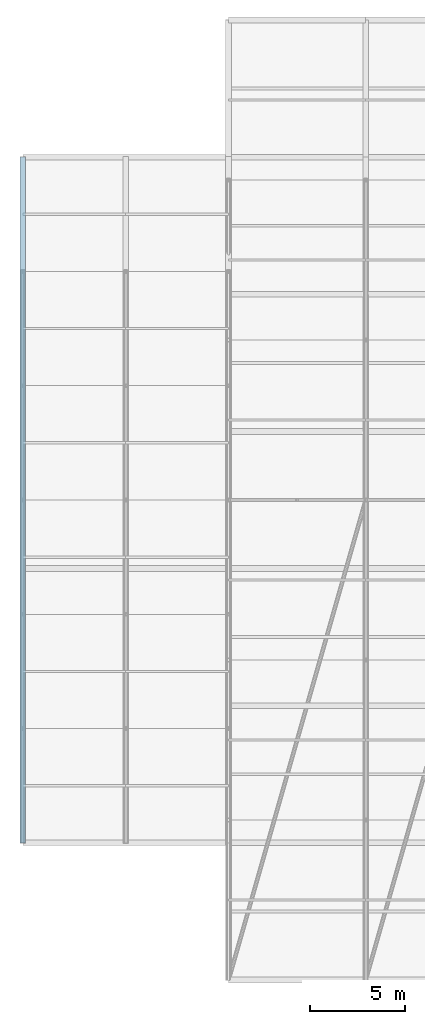
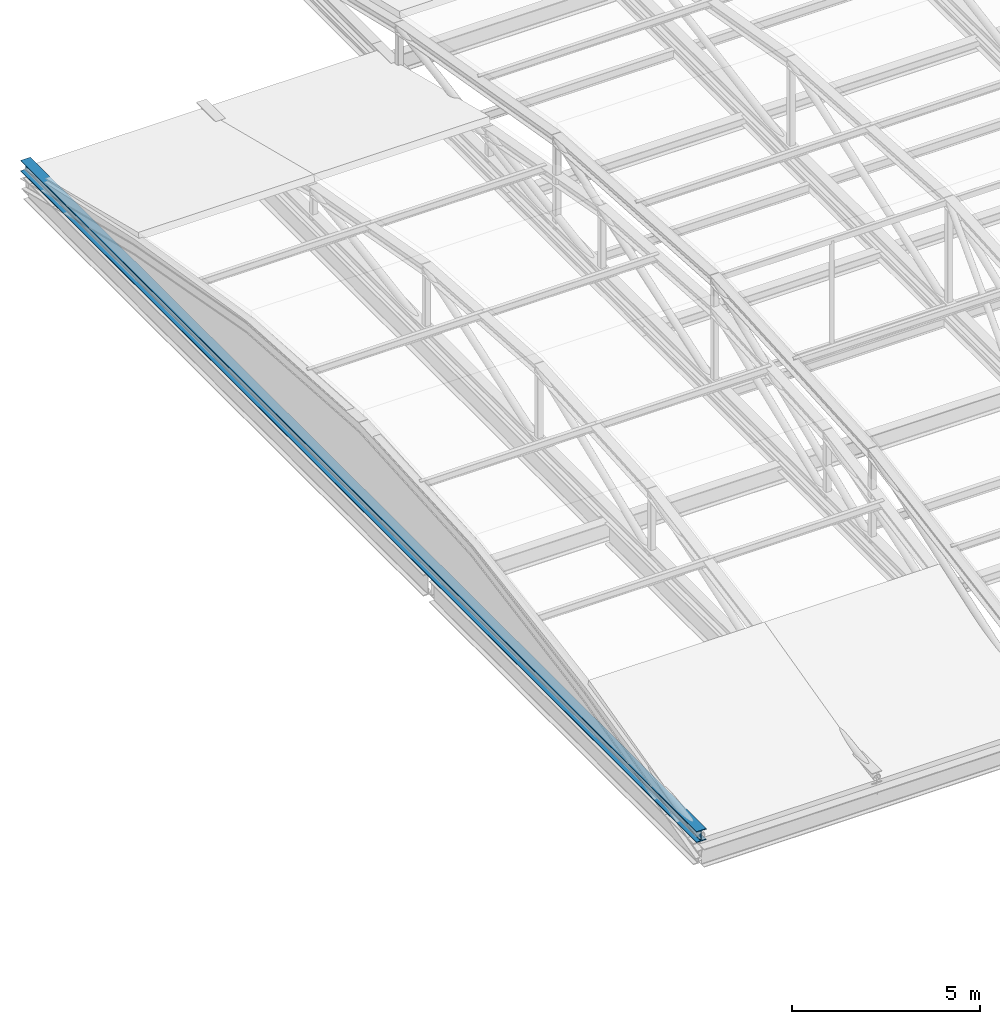
# One storey, part 22 of 76: 1 member.
"""IFC4 building model written with IfcOpenShell, lengths in metres."""

from ifc_helpers import new_model, si_unit, direction, frame, origin, origin_2d, place, context, subcontext, project, spatial, i_section, extrude, material, material_profile, profile_set, type_object, element, save


model = new_model("IFC4")

# Units and contexts
model_context = context("Model", 3, precision=1e-05, world=origin(), true_north=direction((0.0, 1.0)))
body_context = subcontext(model_context, "Body", "Model", "MODEL_VIEW")
ifc_project = project(units=[si_unit("LENGTHUNIT", "METRE"), si_unit("AREAUNIT", "SQUARE_METRE"), si_unit("VOLUMEUNIT", "CUBIC_METRE"), si_unit("PLANEANGLEUNIT", "RADIAN"), si_unit("MASSUNIT", "GRAM", prefix="KILO")], contexts=[model_context])

# Site, building, storey
site_placement = place(None, origin())
site = spatial("IfcSite", under=ifc_project, at=site_placement, CompositionType="ELEMENT")
building_placement = place(site_placement, origin())
building = spatial("IfcBuilding", under=site, at=building_placement, Name="Zlatovets Crest Museum", CompositionType="ELEMENT")
storey_placement = place(building_placement, frame((0.0, 0.0, 17.10009765625)))
storey = spatial("IfcBuildingStorey", under=building, at=storey_placement, Name="L04", CompositionType="ELEMENT", Elevation=17.10009765625)

# Member
ifc_material = material(Name="Structural steel S355J2", Category="steel")
ifc_material_profile = material_profile(ifc_material, i_section(OverallWidth=0.300048828125, OverallDepth=0.360107421875, WebThickness=0.012451171875, FlangeThickness=0.0224609375, FilletRadius=0.027099609375, at=origin_2d()), Name="HEB 360")
ifc_profile_set = profile_set([ifc_material_profile], Name="Structural steel S355J2")
member_type = type_object("IfcMemberType", Name="Member_TM-01", PredefinedType="CHORD", material=ifc_profile_set)
member_placement = place(storey_placement, frame((-3.60009765625, 57.60009765625, 0.079833984375), z_axis=(0.0, 1.0, 0.0), x_axis=(-1.0, 0.0, 0.0)))
element("IfcMember", 1, at=member_placement, inside=storey, type_object=member_type, Name="V4 Art Nouveau Barrel Vault Tie Chord", PredefinedType="CHORD", context=body_context, shape_type="SweptSolid", body=[
    extrude(i_section(OverallWidth=0.300048828125, OverallDepth=0.360107421875, WebThickness=0.012451171875, FlangeThickness=0.0224609375, FilletRadius=0.027099609375, at=origin_2d()), origin(), (0.0, 0.0, 1.0), 36.0),
])

save(model, "model.ifc")
